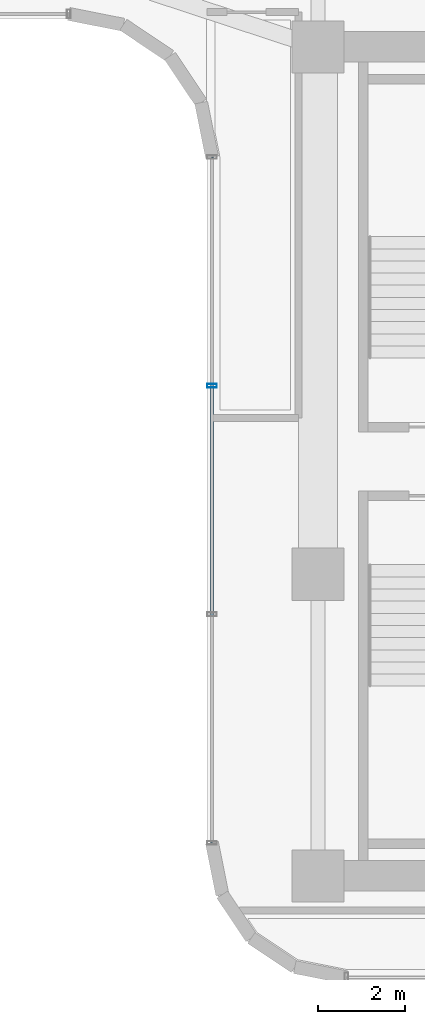
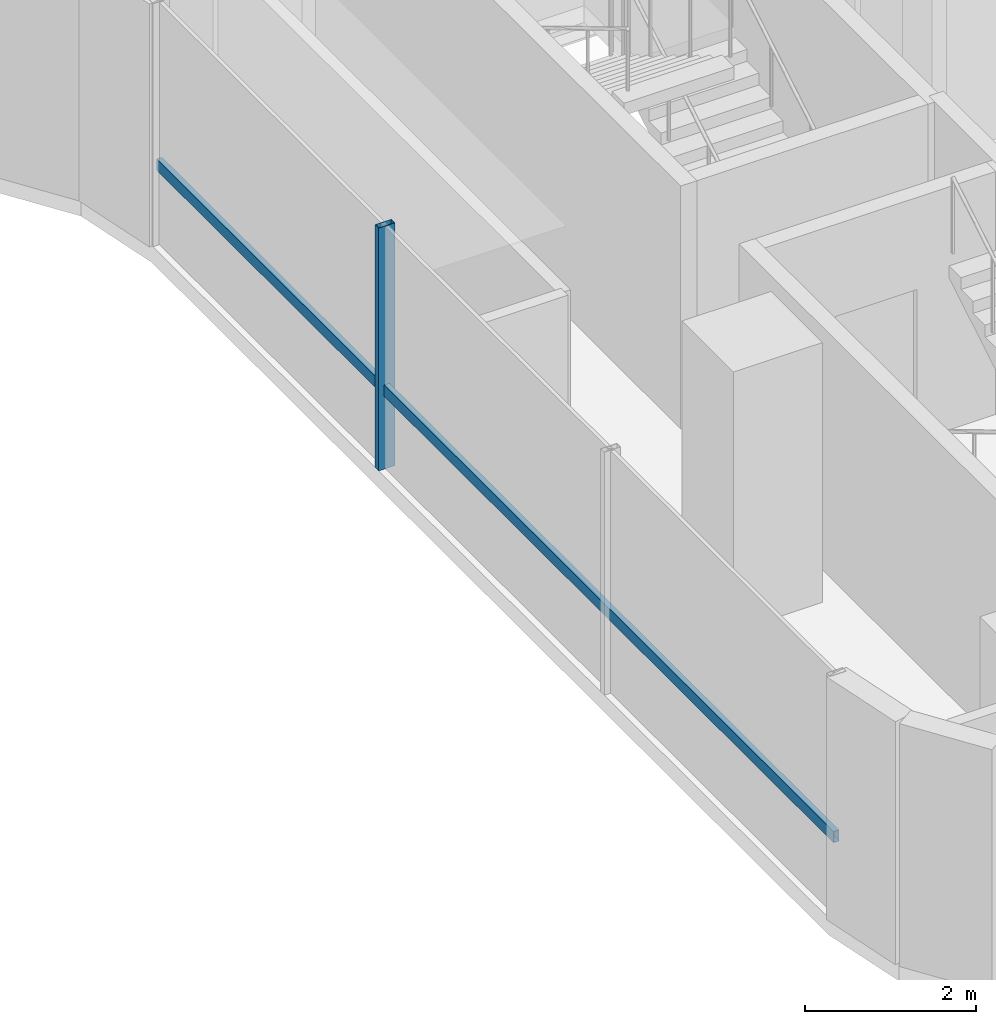
# One storey, part 15 of 37: 2 members, 1 element without a shape of its own.
"""IFC4 building model written with IfcOpenShell, lengths in metres."""

from ifc_helpers import new_model, si_unit, direction, frame, origin, origin_2d, place, context, subcontext, project, spatial, hollow_rectangle, extrude, source, transform, mapped, material, material_profile, profile_set, type_object, element, aggregate, save


model = new_model("IFC4")

# Units and contexts
model_context = context("Model", 3, precision=1e-05, world=origin(), true_north=direction((0.0, 1.0)))
body_context = subcontext(model_context, "Body", "Model", "MODEL_VIEW")
ifc_project = project(units=[si_unit("LENGTHUNIT", "METRE"), si_unit("AREAUNIT", "SQUARE_METRE"), si_unit("VOLUMEUNIT", "CUBIC_METRE"), si_unit("PLANEANGLEUNIT", "RADIAN"), si_unit("MASSUNIT", "GRAM", prefix="KILO")], contexts=[model_context])

# Site, building, storey
site_placement = place(None, origin())
site = spatial("IfcSite", under=ifc_project, at=site_placement, CompositionType="ELEMENT")
building_placement = place(site_placement, origin())
building = spatial("IfcBuilding", under=site, at=building_placement, Name="Valdorenza Pilgrim Sanctuary Tower", CompositionType="ELEMENT")
storey_placement = place(building_placement, frame((0.0, 0.0, 135.300048828125)))
storey = spatial("IfcBuildingStorey", under=building, at=storey_placement, Name="L34", CompositionType="ELEMENT", Elevation=135.300048828125)

# Curtain wall, members
ifc_material_1 = material(Name="Curtain-wall IGU glazing", Category="glass")
curtain_wall_type = type_object("IfcCurtainWallType", Name="CW-SYS-03", PredefinedType="NOTDEFINED", material=ifc_material_1)
curtain_wall_placement = place(storey_placement, origin())
curtain_wall = element("IfcCurtainWall", 1, at=curtain_wall_placement, inside=storey, type_object=curtain_wall_type, Name="L34 Curtain Wall CW-L34-1-31", PredefinedType="NOTDEFINED")
ifc_material_2 = material(Name="Anodised aluminium AW-6060", Category="aluminium")
ifc_material_profile_1 = material_profile(ifc_material_2, hollow_rectangle(XDim=0.0849609375, YDim=0.219970703125, WallThickness=0.0048828125, at=origin_2d()), Name="ALU-M 220x85x5")
ifc_profile_set_1 = profile_set([ifc_material_profile_1], Name="Anodised aluminium AW-6060")
member_type_1 = type_object("IfcMemberType", Name="CW-MUL-03", PredefinedType="MULLION", material=ifc_profile_set_1)
shared_shape_1 = source(origin(), body_context, "Body", "SweptSolid", [
    extrude(hollow_rectangle(XDim=0.0849609375, YDim=0.219970703125, WallThickness=0.0048828125, at=origin_2d()), origin(), (0.0, 0.0, 1.0), 3.4599609375),
])
member_1_placement = place(storey_placement, frame((13.409912109375, 1.744140625, 0.0), z_axis=(0.0, 0.0, 1.0), x_axis=(0.0, 1.0, 0.0)))
member_1 = element("IfcMember", 2, at=member_1_placement, type_object=member_type_1, Name="CW-L34-1-31 Mullion 3", PredefinedType="MULLION", context=body_context, shape_type="MappedRepresentation", body=[
    mapped(shared_shape_1, transform((0.0, 0.0, 0.0), x_axis=(1.0, 0.0, 0.0), y_axis=(0.0, 1.0, 0.0), z_axis=(0.0, 0.0, 1.0), scale=1.0)),
])
ifc_material_profile_2 = material_profile(ifc_material_2, hollow_rectangle(XDim=0.074951171875, YDim=0.159912109375, WallThickness=0.00390625, at=origin_2d()), Name="ALU-T 160x75x4")
ifc_profile_set_2 = profile_set([ifc_material_profile_2], Name="Anodised aluminium AW-6060")
member_type_2 = type_object("IfcMemberType", Name="CW-TRN-03", PredefinedType="USERDEFINED", material=ifc_profile_set_2)
shared_shape_2 = source(origin(), body_context, "Body", "SweptSolid", [
    extrude(hollow_rectangle(XDim=0.074951171875, YDim=0.159912109375, WallThickness=0.00390625, at=origin_2d()), origin(), (0.0, 0.0, 1.0), 15.800048828125),
])
member_2_placement = place(storey_placement, frame((13.409912109375, -8.789306640625, 1.119873046875), z_axis=(0.0, 1.0, 0.0), x_axis=(-1.0, 0.0, 0.0)))
member_2 = element("IfcMember", 3, at=member_2_placement, type_object=member_type_2, Name="CW-L34-1-31 Transom 1", ObjectType="TRANSOM", PredefinedType="USERDEFINED", context=body_context, shape_type="MappedRepresentation", body=[
    mapped(shared_shape_2, transform((0.0, 0.0, 0.0), x_axis=(1.0, 0.0, 0.0), y_axis=(0.0, 1.0, 0.0), z_axis=(0.0, 0.0, 1.0), scale=1.0)),
])
aggregate(curtain_wall, [member_1, member_2])

save(model, "model.ifc")
